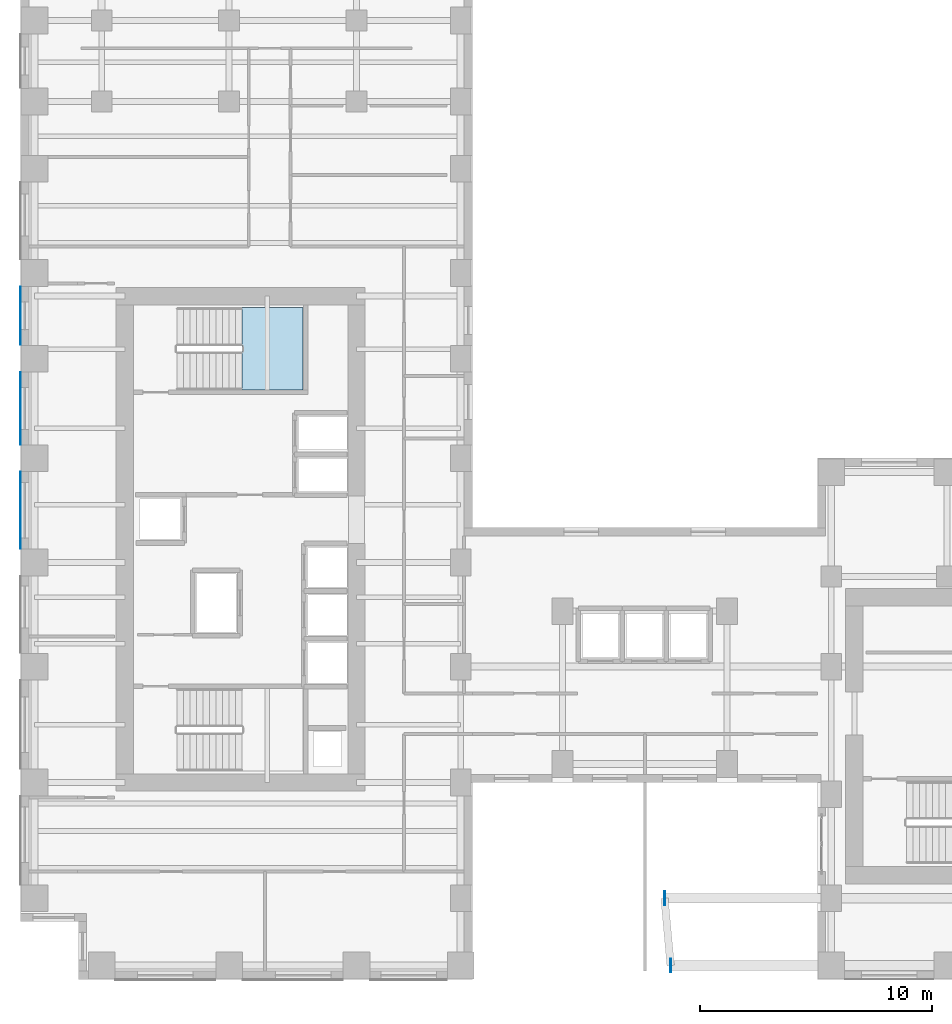
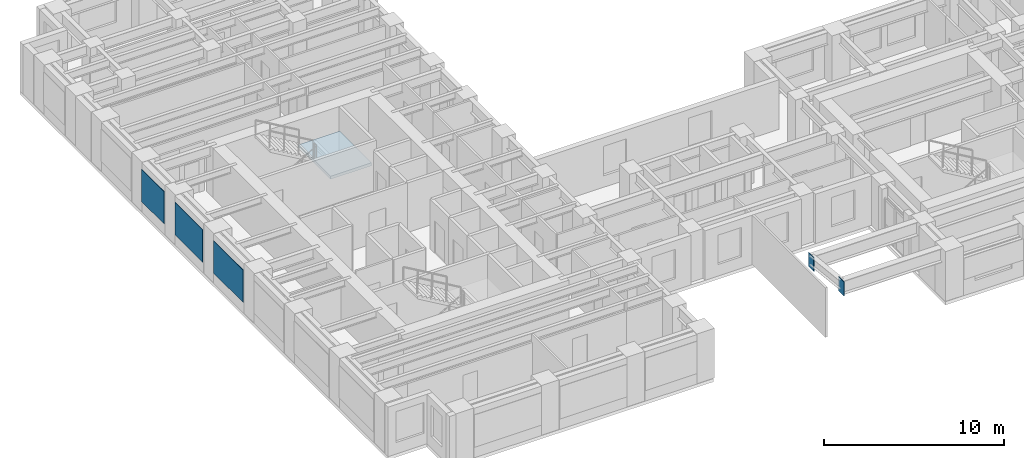
# One storey, part 5 of 14: 5 plates, 1 slab, 1 element without a shape of its own.
"""IFC4 building model written with IfcOpenShell, lengths in metres."""

from ifc_helpers import new_model, si_unit, direction, frame, origin, origin_2d, place, context, subcontext, project, spatial, polyline, rectangle, outline, extrude, source, transform, mapped, material, layer, layer_set, type_object, element, aggregate, save


model = new_model("IFC4")

# Units and contexts
model_context = context("Model", 3, precision=1e-05, world=origin(), true_north=direction((0.0, 1.0)))
body_context = subcontext(model_context, "Body", "Model", "MODEL_VIEW")
ifc_project = project(units=[si_unit("LENGTHUNIT", "METRE"), si_unit("AREAUNIT", "SQUARE_METRE"), si_unit("VOLUMEUNIT", "CUBIC_METRE"), si_unit("PLANEANGLEUNIT", "RADIAN"), si_unit("MASSUNIT", "GRAM", prefix="KILO")], contexts=[model_context])

# Site, building, storey
site_placement = place(None, origin())
site = spatial("IfcSite", under=ifc_project, at=site_placement, CompositionType="ELEMENT")
building_placement = place(site_placement, origin())
building = spatial("IfcBuilding", under=site, at=building_placement, Name="Kharzan Plaza Tower", CompositionType="ELEMENT")
storey_placement = place(building_placement, frame((0.0, 0.0, 102.60009765625)))
storey = spatial("IfcBuildingStorey", under=building, at=storey_placement, Name="L27", CompositionType="ELEMENT", Elevation=102.60009765625)

# Stair, slab
ifc_material_1 = material(Name="Concrete C40/50", Category="concrete")
stair_type = type_object("IfcStairType", Name="STR-ST-2", PredefinedType="HALF_TURN_STAIR", material=ifc_material_1)
stair_placement = place(storey_placement, origin())
stair = element("IfcStair", 1, at=stair_placement, inside=storey, type_object=stair_type, Name="L27 Protected Exit Stair ST-2", PredefinedType="HALF_TURN_STAIR")
ifc_layer_1 = layer(ifc_material_1, 0.219970703125)
ifc_layer_set_1 = layer_set([ifc_layer_1], Name="Concrete C40/50")
slab_type = type_object("IfcSlabType", Name="SL-LANDING-220", PredefinedType="LANDING", material=ifc_layer_set_1)
slab_placement = place(storey_placement, frame((0.0, 0.0, 1.599853515625)))
slab = element("IfcSlab", 2, at=slab_placement, type_object=slab_type, Name="ST-2 landing 1", PredefinedType="LANDING", context=body_context, shape_type="SweptSolid", body=[
    extrude(outline(polyline([(9.550048828125, 25.449951171875), (12.199951171875, 25.449951171875), (12.199951171875, 29.0), (9.550048828125, 29.0), (9.550048828125, 25.449951171875)])), origin(), (0.0, 0.0, 1.0), 0.199951171875),
])
aggregate(stair, [slab])

# Plates
ifc_material_2 = material(Name="Steel S460", Category="steel")
ifc_layer_2 = layer(ifc_material_2, 0.0419921875)
ifc_layer_set_2 = layer_set([ifc_layer_2], Name="Steel S460")
plate_type_1 = type_object("IfcPlateType", Name="PLT-ZTN1", PredefinedType="USERDEFINED", material=ifc_layer_set_2)
shared_shape_1 = source(origin(), body_context, "Body", "SweptSolid", [
    extrude(rectangle(XDim=0.60009765625, YDim=0.0419921875, at=origin_2d()), origin(), (0.0, 0.0, 1.0), 0.949951171875),
])
for number, where, z_axis, x_axis, name in (
    (3, (28.06396484375, 0.60009765625, 2.4365234375), (0.0, 0.0, 1.0), (0.0, 1.0, 0.0), "L27 Sky-Terrace Cantilever Tip Plate ZTN1"),
    (4, (27.800048828125, 3.5, 2.4365234375), (0.0, 0.0, 1.0), (0.0, 1.0, 0.0), "L27 Sky-Terrace Cantilever Tip Plate ZTN1"),
):
    element("IfcPlate", number, at=place(storey_placement, frame(where, z_axis=z_axis, x_axis=x_axis)), inside=storey, type_object=plate_type_1, Name=name, ObjectType="FLANGE_PLATE", PredefinedType="USERDEFINED", context=body_context, shape_type="MappedRepresentation", body=[
        mapped(shared_shape_1, transform((0.0, 0.0, 0.0), x_axis=(1.0, 0.0, 0.0), y_axis=(0.0, 1.0, 0.0), z_axis=(0.0, 0.0, 1.0))),
    ])
ifc_material_3 = material(Name="Perforated Bronze-Anodized Aluminium", Category="aluminium")
ifc_layer_3 = layer(ifc_material_3, 0.030029296875)
ifc_layer_set_3 = layer_set([ifc_layer_3], Name="Perforated Bronze-Anodized Aluminium")
plate_type_2 = type_object("IfcPlateType", Name="PLT-MASH-SCREEN", PredefinedType="SHEET", material=ifc_layer_set_3)
shared_shape_2 = source(origin(), body_context, "Body", "SweptSolid", [
    extrude(rectangle(XDim=3.31396484375, YDim=0.030029296875, at=origin_2d()), origin(), (0.0, 0.0, 1.0), 2.199951171875),
])
plate_1_placement = place(storey_placement, frame((-0.012939453125, 20.25, 0.72998046875), z_axis=(0.0, 0.0, 1.0), x_axis=(0.0, -1.0, 0.0)))
element("IfcPlate", 5, at=plate_1_placement, inside=storey, type_object=plate_type_2, Name="L27 Perforated Mashrabiya Solar Screen", PredefinedType="SHEET", context=body_context, shape_type="MappedRepresentation", body=[
    mapped(shared_shape_2, transform((0.0, 0.0, 0.0), x_axis=(1.0, 0.0, 0.0), y_axis=(0.0, 1.0, 0.0), z_axis=(0.0, 0.0, 1.0))),
])
shared_shape_3 = source(origin(), body_context, "Body", "SweptSolid", [
    extrude(rectangle(XDim=2.513916015625, YDim=0.030029296875, at=origin_2d()), origin(), (0.0, 0.0, 1.0), 2.199951171875),
])
plate_2_placement = place(storey_placement, frame((-0.012939453125, 28.64990234375, 0.72998046875), z_axis=(0.0, 0.0, 1.0), x_axis=(0.0, -1.0, 0.0)))
element("IfcPlate", 6, at=plate_2_placement, inside=storey, type_object=plate_type_2, Name="L27 Perforated Mashrabiya Solar Screen", PredefinedType="SHEET", context=body_context, shape_type="MappedRepresentation", body=[
    mapped(shared_shape_3, transform((0.0, 0.0, 0.0), x_axis=(1.0, 0.0, 0.0), y_axis=(0.0, 1.0, 0.0), z_axis=(0.0, 0.0, 1.0))),
])
shared_shape_4 = source(origin(), body_context, "Body", "SweptSolid", [
    extrude(rectangle(XDim=3.114013671875, YDim=0.030029296875, at=origin_2d()), origin(), (0.0, 0.0, 1.0), 2.199951171875),
])
plate_3_placement = place(storey_placement, frame((-0.012939453125, 24.64990234375, 0.72998046875), z_axis=(0.0, 0.0, 1.0), x_axis=(0.0, -1.0, 0.0)))
element("IfcPlate", 7, at=plate_3_placement, inside=storey, type_object=plate_type_2, Name="L27 Perforated Mashrabiya Solar Screen", PredefinedType="SHEET", context=body_context, shape_type="MappedRepresentation", body=[
    mapped(shared_shape_4, transform((0.0, 0.0, 0.0), x_axis=(1.0, 0.0, 0.0), y_axis=(0.0, 1.0, 0.0), z_axis=(0.0, 0.0, 1.0))),
])

save(model, "model.ifc")
